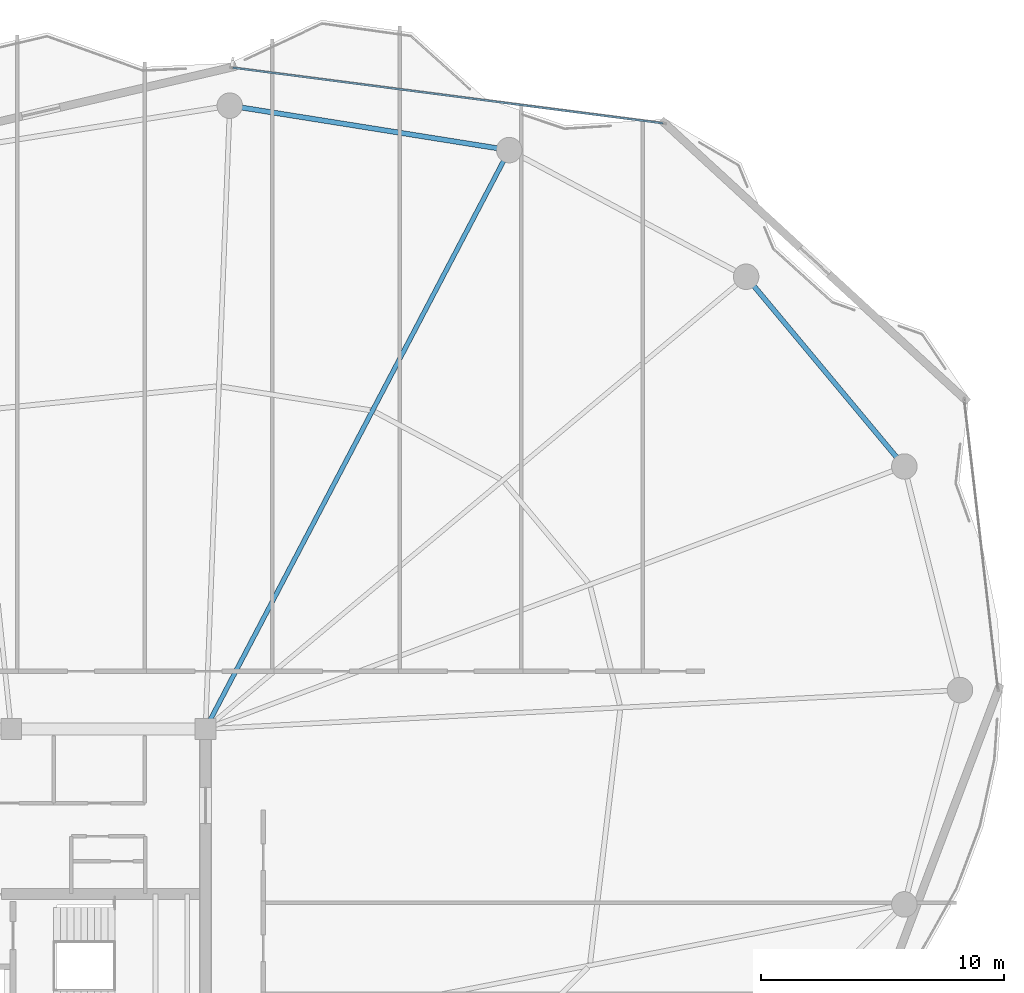
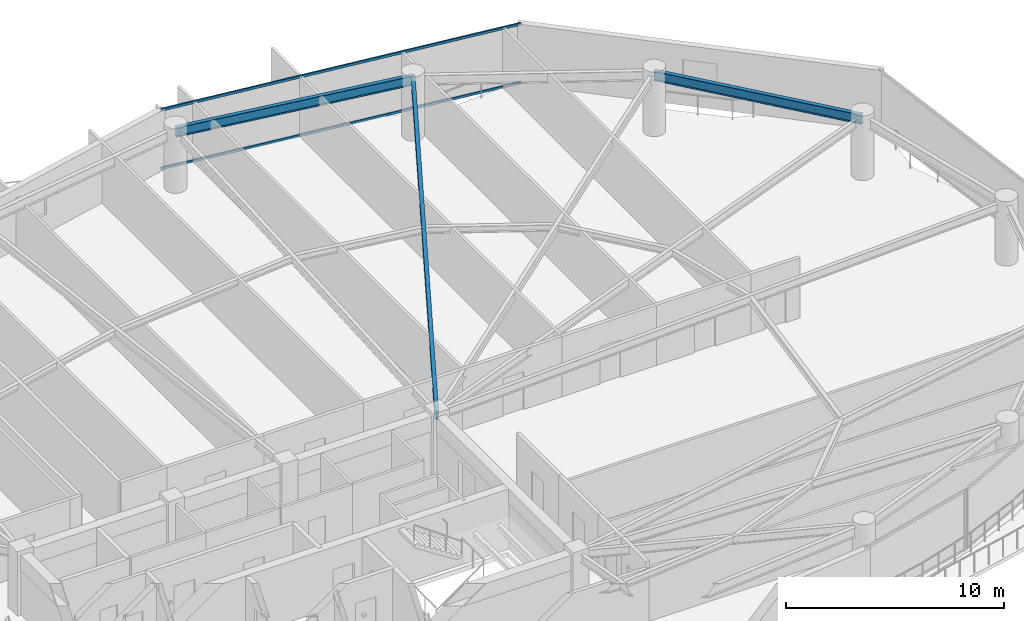
# One storey, part 21 of 31: 3 beams, 2 members, 1 element without a shape of its own.
"""IFC4 building model written with IfcOpenShell, lengths in metres."""

from ifc_helpers import new_model, si_unit, direction, frame, origin, origin_2d, place, context, subcontext, project, spatial, hollow_rectangle, i_section, extrude, material, layer, layer_set, material_profile, profile_set, type_object, element, aggregate, save


model = new_model("IFC4")

# Units and contexts
model_context = context("Model", 3, precision=1e-05, world=origin(), true_north=direction((0.0, 1.0)))
body_context = subcontext(model_context, "Body", "Model", "MODEL_VIEW")
ifc_project = project(units=[si_unit("LENGTHUNIT", "METRE"), si_unit("AREAUNIT", "SQUARE_METRE"), si_unit("VOLUMEUNIT", "CUBIC_METRE"), si_unit("PLANEANGLEUNIT", "RADIAN"), si_unit("MASSUNIT", "GRAM", prefix="KILO")], contexts=[model_context])

# Site, building, storey
site_placement = place(None, origin())
site = spatial("IfcSite", under=ifc_project, at=site_placement, CompositionType="ELEMENT")
building_placement = place(site_placement, origin())
building = spatial("IfcBuilding", under=site, at=building_placement, Name="Kazevale Care Tower and Concert Hall", CompositionType="ELEMENT")
storey_placement = place(building_placement, frame((0.0, 0.0, 202.800048828125)))
storey = spatial("IfcBuildingStorey", under=building, at=storey_placement, Name="L53", CompositionType="ELEMENT", Elevation=202.800048828125)

# Curtain wall, members
ifc_material_1 = material(Name="Aluminium 6063-T6 and Low-E Glass", Category="aluminium")
ifc_layer = layer(ifc_material_1, 0.179931640625)
ifc_layer_set = layer_set([ifc_layer], Name="Aluminium 6063-T6 and Low-E Glass")
curtain_wall_type = type_object("IfcCurtainWallType", Name="Waist & Upper Residential Curtain Wall CW-4", PredefinedType="NOTDEFINED", material=ifc_layer_set)
curtain_wall_placement = place(storey_placement, origin())
curtain_wall = element("IfcCurtainWall", 1, at=curtain_wall_placement, inside=storey, type_object=curtain_wall_type, Name="cw:L53:f16", PredefinedType="NOTDEFINED")
ifc_material_2 = material(Name="Aluminium 6063-T6", Category="aluminium")
ifc_material_profile_1 = material_profile(ifc_material_2, hollow_rectangle(XDim=0.080078125, YDim=0.139892578125, WallThickness=0.00390625, at=origin_2d()), Name="ALU80x140x4")
ifc_profile_set_1 = profile_set([ifc_material_profile_1], Name="Aluminium 6063-T6")
member_type = type_object("IfcMemberType", Name="CW-4 Transom ALU80x140x4", PredefinedType="USERDEFINED", material=ifc_profile_set_1)
member_1_placement = place(storey_placement, frame((45.123291015625, 63.61181640625, 0.0400390625), z_axis=(0.991760953967, -0.128102342625, 0.0), x_axis=(0.128102342625, 0.991760953967, 0.0)))
member_1 = element("IfcMember", 2, at=member_1_placement, type_object=member_type, Name="CW-4 transom 1.1", ObjectType="TRANSOM", PredefinedType="USERDEFINED", context=body_context, shape_type="SweptSolid", body=[
    extrude(hollow_rectangle(XDim=0.080078125, YDim=0.139892578125, WallThickness=0.00390625, at=origin_2d()), origin(), (0.0, 0.0, 1.0), 17.857666015625),
])
member_2_placement = place(storey_placement, frame((45.123291015625, 63.61181640625, 3.320068359375), z_axis=(0.991760953967, -0.128102342625, 0.0), x_axis=(0.128102342625, 0.991760953967, 0.0)))
member_2 = element("IfcMember", 3, at=member_2_placement, type_object=member_type, Name="CW-4 transom 1.2", ObjectType="TRANSOM", PredefinedType="USERDEFINED", context=body_context, shape_type="SweptSolid", body=[
    extrude(hollow_rectangle(XDim=0.080078125, YDim=0.139892578125, WallThickness=0.00390625, at=origin_2d()), origin(), (0.0, 0.0, 1.0), 17.857666015625),
])
aggregate(curtain_wall, [member_1, member_2])

# Beams
ifc_material_3 = material(Name="Steel ASTM A572 Gr 50", Category="steel")
ifc_material_profile_2 = material_profile(ifc_material_3, i_section(OverallWidth=0.19091796875, OverallDepth=0.4599609375, WebThickness=0.010009765625, FlangeThickness=0.01611328125, at=origin_2d()), Name="W460x82")
ifc_profile_set_2 = profile_set([ifc_material_profile_2], Name="Steel ASTM A572 Gr 50")
beam_type_1 = type_object("IfcBeamType", Name="Radial Floor Beam W460x82", PredefinedType="BEAM", material=ifc_profile_set_2)
beam_1_placement = place(storey_placement, frame((44.0, 36.39990234375, 3.1298828125), z_axis=(0.464672566396, 0.885482583702, 0.0), x_axis=(-0.885482583702, 0.464672566396, 0.0)))
element("IfcBeam", 4, at=beam_1_placement, inside=storey, type_object=beam_type_1, Name="beam:L53:rad:04", PredefinedType="BEAM", context=body_context, shape_type="SweptSolid", body=[
    extrude(i_section(OverallWidth=0.19091796875, OverallDepth=0.4599609375, WebThickness=0.010009765625, FlangeThickness=0.01611328125, at=origin_2d()), origin(), (0.0, 0.0, 1.0), 26.900634765625),
])
ifc_material_profile_3 = material_profile(ifc_material_3, i_section(OverallWidth=0.208984375, OverallDepth=0.532958984375, WebThickness=0.01025390625, FlangeThickness=0.015625, at=origin_2d()), Name="W530x92")
ifc_profile_set_3 = profile_set([ifc_material_profile_3], Name="Steel ASTM A572 Gr 50")
beam_type_2 = type_object("IfcBeamType", Name="Upper Ring Beam W530x92", PredefinedType="BEAM", material=ifc_profile_set_3)
beam_2_placement = place(storey_placement, frame((72.760009765625, 47.199951171875, 3.093505859375), z_axis=(-0.640278868102, 0.768142546056, 0.0), x_axis=(-0.768142546056, -0.640278868102, 0.0)))
element("IfcBeam", 5, at=beam_2_placement, inside=storey, type_object=beam_type_2, Name="beam:L53:ring:02", PredefinedType="BEAM", context=body_context, shape_type="SweptSolid", body=[
    extrude(i_section(OverallWidth=0.208984375, OverallDepth=0.532958984375, WebThickness=0.01025390625, FlangeThickness=0.015625, at=origin_2d()), origin(), (0.0, 0.0, 1.0), 10.16748046875),
])
beam_3_placement = place(storey_placement, frame((56.5, 60.219970703125, 3.093505859375), z_axis=(-0.987573207584, 0.15715966296, 0.0), x_axis=(-0.15715966296, -0.987573207584, 0.0)))
element("IfcBeam", 6, at=beam_3_placement, inside=storey, type_object=beam_type_2, Name="beam:L53:ring:04", PredefinedType="BEAM", context=body_context, shape_type="SweptSolid", body=[
    extrude(i_section(OverallWidth=0.208984375, OverallDepth=0.532958984375, WebThickness=0.01025390625, FlangeThickness=0.015625, at=origin_2d()), origin(), (0.0, 0.0, 1.0), 11.644775390625),
])

save(model, "model.ifc")
